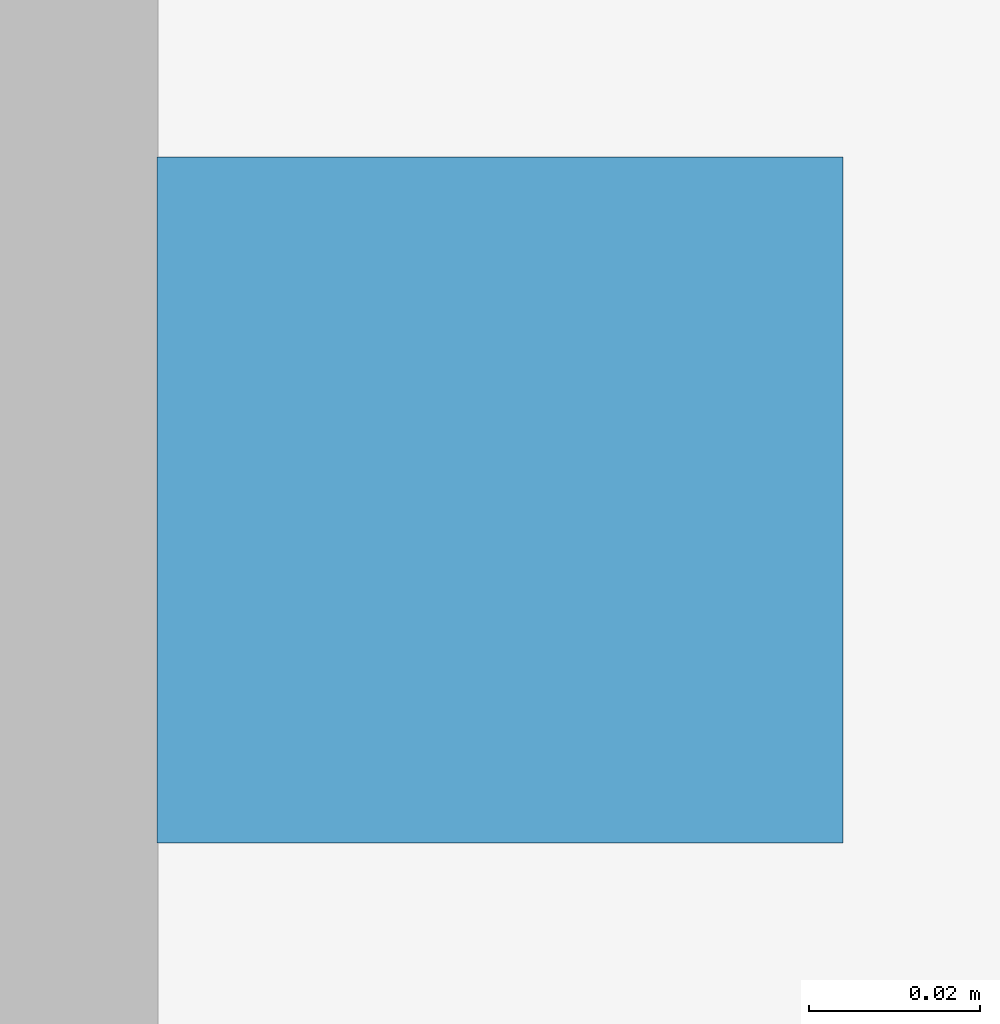
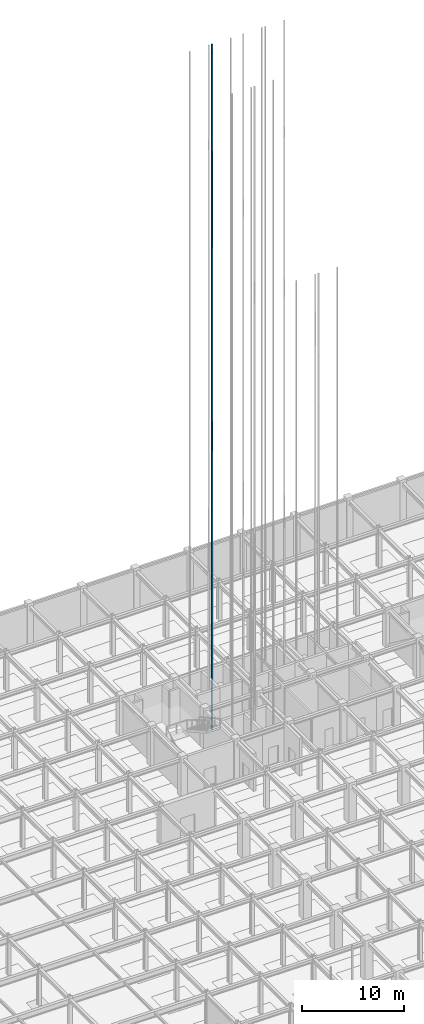
# One storey, part 58 of 69: 1 discrete accessory.
"""IFC4 building model written with IfcOpenShell, lengths in metres."""

from ifc_helpers import new_model, si_unit, direction, frame, origin, origin_2d, place, context, subcontext, project, spatial, rectangle, extrude, material, type_object, element, save


model = new_model("IFC4")

# Units and contexts
model_context = context("Model", 3, precision=1e-05, world=origin(), true_north=direction((0.0, 1.0)))
body_context = subcontext(model_context, "Body", "Model", "MODEL_VIEW")
ifc_project = project(units=[si_unit("LENGTHUNIT", "METRE"), si_unit("AREAUNIT", "SQUARE_METRE"), si_unit("VOLUMEUNIT", "CUBIC_METRE"), si_unit("PLANEANGLEUNIT", "RADIAN"), si_unit("MASSUNIT", "GRAM", prefix="KILO")], contexts=[model_context])

# Site, building, storey
site_placement = place(None, origin())
site = spatial("IfcSite", under=ifc_project, at=site_placement, CompositionType="ELEMENT")
building_placement = place(site_placement, origin())
building = spatial("IfcBuilding", under=site, at=building_placement, Name="Zlatovratsky Civic Hall", CompositionType="ELEMENT")
storey_placement = place(building_placement, frame((0.0, 0.0, -4.800048828125)))
storey = spatial("IfcBuildingStorey", under=building, at=storey_placement, Name="B1", CompositionType="ELEMENT", Elevation=-4.800048828125)

# Discrete accessory
ifc_material = material(Name="Steel S355", Category="steel")
discrete_accessory_type = type_object("IfcDiscreteAccessoryType", Name="Lift_GuideRail", PredefinedType="USERDEFINED", material=ifc_material)
discrete_accessory_placement = place(storey_placement, frame((75.18994140625, 94.14990234375, -1.60009765625), z_axis=(0.0, 0.0, 1.0), x_axis=(1.0, 0.0, 0.0)))
element("IfcDiscreteAccessory", 1, at=discrete_accessory_placement, inside=storey, type_object=discrete_accessory_type, Name="Lift Guide Rail LP-02 L", ObjectType="GUIDE RAIL", PredefinedType="USERDEFINED", context=body_context, shape_type="SweptSolid", body=[
    extrude(rectangle(XDim=0.080078125, YDim=0.080078125, at=origin_2d()), origin(), (0.0, 0.0, 1.0), 81.60009765625),
])

save(model, "model.ifc")
